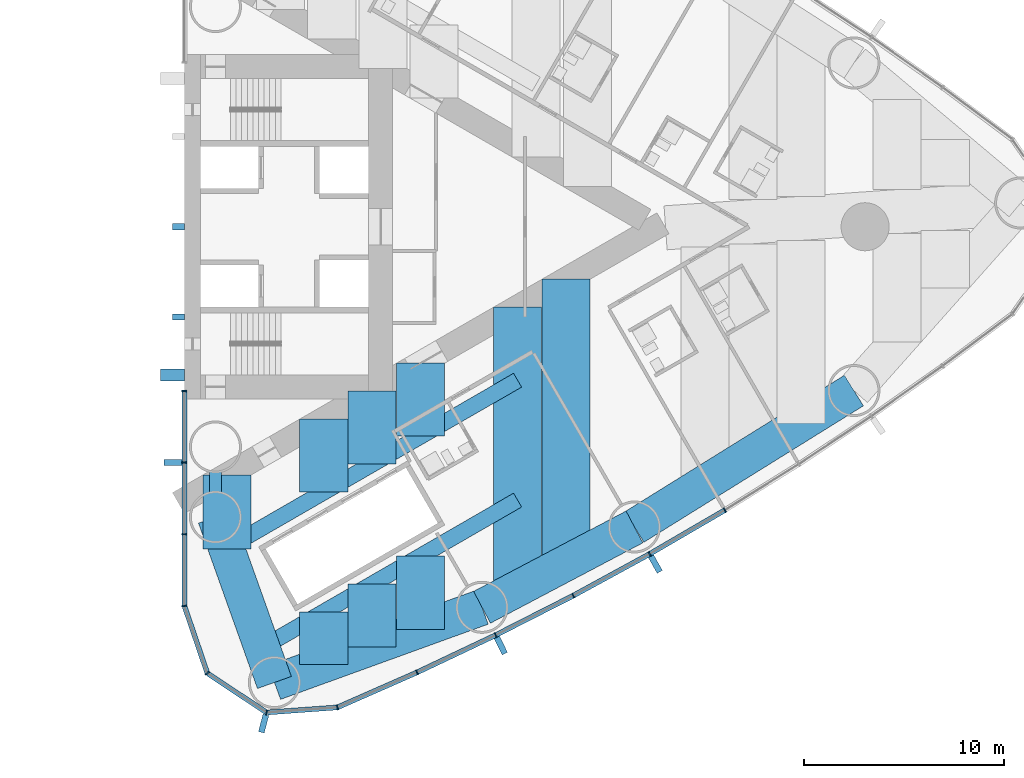
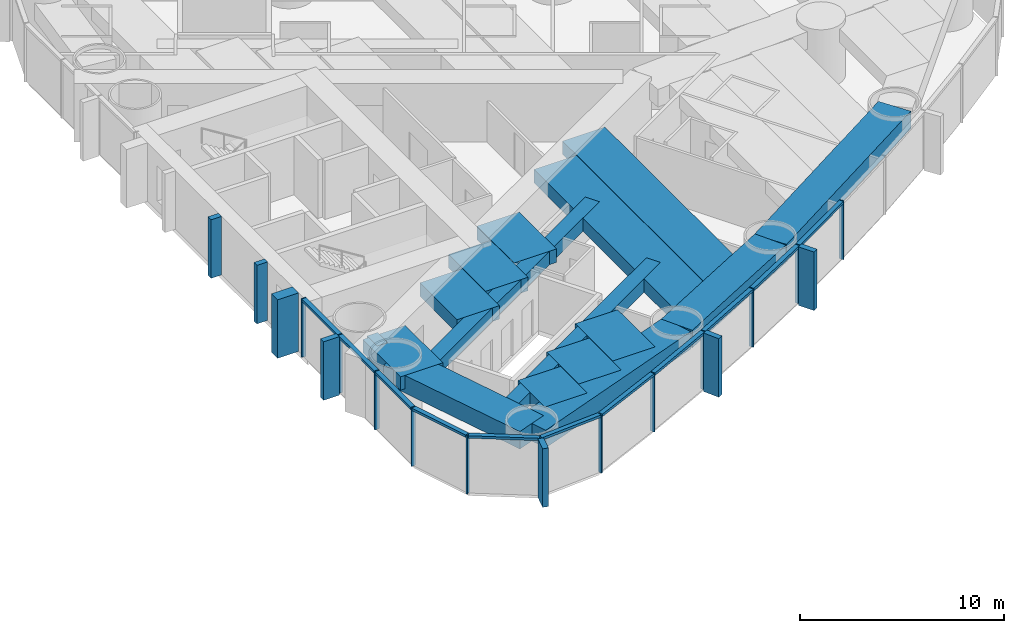
# One storey, part 6 of 18: 30 members, 16 beams, 1 element without a shape of its own.
"""IFC4 building model written with IfcOpenShell, lengths in metres."""

from ifc_helpers import new_model, si_unit, direction, frame, origin, origin_2d, place, context, subcontext, project, spatial, rectangle, hollow_rectangle, extrude, material, material_profile, profile_set, type_object, element, aggregate, save


model = new_model("IFC4")

# Units and contexts
model_context = context("Model", 3, precision=1e-05, world=origin(), true_north=direction((0.0, 1.0)))
body_context = subcontext(model_context, "Body", "Model", "MODEL_VIEW")
ifc_project = project(units=[si_unit("LENGTHUNIT", "METRE"), si_unit("AREAUNIT", "SQUARE_METRE"), si_unit("VOLUMEUNIT", "CUBIC_METRE"), si_unit("PLANEANGLEUNIT", "RADIAN"), si_unit("MASSUNIT", "GRAM", prefix="KILO")], contexts=[model_context])

# Site, building, storey
site_placement = place(None, origin())
site = spatial("IfcSite", under=ifc_project, at=site_placement, CompositionType="ELEMENT")
building_placement = place(site_placement, origin())
building = spatial("IfcBuilding", under=site, at=building_placement, Name="Lancet Gate Hotel", CompositionType="ELEMENT")
storey_placement = place(building_placement, frame((0.0, 0.0, 108.10009765625)))
storey = spatial("IfcBuildingStorey", under=building, at=storey_placement, Name="L28", CompositionType="ELEMENT", Elevation=108.10009765625)

# Curtain wall, members
ifc_material_1 = material(Name="Aluminium curtain wall", Category="aluminium")
curtain_wall_type = type_object("IfcCurtainWallType", Name="Tower unitised curtain wall", PredefinedType="USERDEFINED", material=ifc_material_1)
curtain_wall_placement = place(storey_placement, origin())
curtain_wall = element("IfcCurtainWall", 1, at=curtain_wall_placement, inside=storey, type_object=curtain_wall_type, Name="T2 L28 curtain wall 1", ObjectType="UNITISED CURTAIN WALL", PredefinedType="USERDEFINED")
ifc_material_2 = material(Name="Aluminium mullion", Category="aluminium")
ifc_material_profile_1 = material_profile(ifc_material_2, rectangle(XDim=0.06494140625, YDim=0.25, at=origin_2d()), Name="MULLION 65x250")
ifc_profile_set_1 = profile_set([ifc_material_profile_1], Name="Aluminium mullion")
member_type_1 = type_object("IfcMemberType", Name="Aluminium mullion 65x250", PredefinedType="MULLION", material=ifc_profile_set_1)
member_1_placement = place(storey_placement, frame((27.5, -8.199951171875, 0.0), z_axis=(0.0, 0.0, 1.0), x_axis=(0.0, -1.0, 0.0)))
member_1 = element("IfcMember", 2, at=member_1_placement, type_object=member_type_1, Name="T2 L28 curtain wall 1 mullion 1", PredefinedType="MULLION", context=body_context, shape_type="SweptSolid", body=[
    extrude(rectangle(XDim=0.06494140625, YDim=0.25, at=origin_2d()), origin(), (0.0, 0.0, 1.0), 3.5),
])
member_2_placement = place(storey_placement, frame((27.5, -11.781005859375, 0.0), z_axis=(0.0, 0.0, 1.0), x_axis=(0.0, -1.0, 0.0)))
member_2 = element("IfcMember", 3, at=member_2_placement, type_object=member_type_1, Name="T2 L28 curtain wall 1 mullion 2", PredefinedType="MULLION", context=body_context, shape_type="SweptSolid", body=[
    extrude(rectangle(XDim=0.06494140625, YDim=0.25, at=origin_2d()), origin(), (0.0, 0.0, 1.0), 3.5),
])
member_3_placement = place(storey_placement, frame((27.5, -15.362060546875, 0.0), z_axis=(0.0, 0.0, 1.0), x_axis=(0.0, -1.0, 0.0)))
member_3 = element("IfcMember", 4, at=member_3_placement, type_object=member_type_1, Name="T2 L28 curtain wall 1 mullion 3", PredefinedType="MULLION", context=body_context, shape_type="SweptSolid", body=[
    extrude(rectangle(XDim=0.06494140625, YDim=0.25, at=origin_2d()), origin(), (0.0, 0.0, 1.0), 3.5),
])
member_4_placement = place(storey_placement, frame((27.5, -18.94287109375, 0.0), z_axis=(0.0, 0.0, 1.0), x_axis=(0.162738742557, -0.986669195663, 0.0)))
member_4 = element("IfcMember", 5, at=member_4_placement, type_object=member_type_1, Name="T2 L28 curtain wall 1 mullion 4", PredefinedType="MULLION", context=body_context, shape_type="SweptSolid", body=[
    extrude(rectangle(XDim=0.06494140625, YDim=0.25, at=origin_2d()), origin(), (0.0, 0.0, 1.0), 3.5),
])
member_5_placement = place(storey_placement, frame((28.64453125, -22.301513671875, 0.0), z_axis=(0.0, 0.0, 1.0), x_axis=(0.610663954798, -0.79188984986, 0.0)))
member_5 = element("IfcMember", 6, at=member_5_placement, type_object=member_type_1, Name="T2 L28 curtain wall 1 mullion 5", PredefinedType="MULLION", context=body_context, shape_type="SweptSolid", body=[
    extrude(rectangle(XDim=0.06494140625, YDim=0.25, at=origin_2d()), origin(), (0.0, 0.0, 1.0), 3.5),
])
member_6_placement = place(storey_placement, frame((31.60205078125, -24.26220703125, 0.0), z_axis=(0.0, 0.0, 1.0), x_axis=(0.967157174963, -0.254179068604, 0.0)))
member_6 = element("IfcMember", 7, at=member_6_placement, type_object=member_type_1, Name="T2 L28 curtain wall 1 mullion 6", PredefinedType="MULLION", context=body_context, shape_type="SweptSolid", body=[
    extrude(rectangle(XDim=0.06494140625, YDim=0.25, at=origin_2d()), origin(), (0.0, 0.0, 1.0), 3.5),
])
member_7_placement = place(storey_placement, frame((35.141357421875, -24.009033203125, 0.0), z_axis=(0.0, 0.0, 1.0), x_axis=(0.966317378791, 0.257353304711, 0.0)))
member_7 = element("IfcMember", 8, at=member_7_placement, type_object=member_type_1, Name="T2 L28 curtain wall 1 mullion 7", PredefinedType="MULLION", context=body_context, shape_type="SweptSolid", body=[
    extrude(rectangle(XDim=0.06494140625, YDim=0.25, at=origin_2d()), origin(), (0.0, 0.0, 1.0), 3.5),
])
member_8_placement = place(storey_placement, frame((39.12109375, -22.259765625, 0.0), z_axis=(0.0, 0.0, 1.0), x_axis=(0.909672766767, 0.415325724465, 0.0)))
member_8 = element("IfcMember", 9, at=member_8_placement, type_object=member_type_1, Name="T2 L28 curtain wall 1 mullion 8", PredefinedType="MULLION", context=body_context, shape_type="SweptSolid", body=[
    extrude(rectangle(XDim=0.06494140625, YDim=0.25, at=origin_2d()), origin(), (0.0, 0.0, 1.0), 3.5),
])
member_9_placement = place(storey_placement, frame((43.0498046875, -20.398193359375, 0.0), z_axis=(0.0, 0.0, 1.0), x_axis=(0.897511886496, 0.440990264743, 0.0)))
member_9 = element("IfcMember", 10, at=member_9_placement, type_object=member_type_1, Name="T2 L28 curtain wall 1 mullion 9", PredefinedType="MULLION", context=body_context, shape_type="SweptSolid", body=[
    extrude(rectangle(XDim=0.06494140625, YDim=0.25, at=origin_2d()), origin(), (0.0, 0.0, 1.0), 3.5),
])
member_10_placement = place(storey_placement, frame((46.923828125, -18.426025390625, 0.0), z_axis=(0.0, 0.0, 1.0), x_axis=(0.884627112962, 0.466299121822, 0.0)))
member_10 = element("IfcMember", 11, at=member_10_placement, type_object=member_type_1, Name="T2 L28 curtain wall 1 mullion 10", PredefinedType="MULLION", context=body_context, shape_type="SweptSolid", body=[
    extrude(rectangle(XDim=0.06494140625, YDim=0.25, at=origin_2d()), origin(), (0.0, 0.0, 1.0), 3.5),
])
member_11_placement = place(storey_placement, frame((50.740478515625, -16.344482421875, 0.0), z_axis=(0.0, 0.0, 1.0), x_axis=(0.871028838445, 0.491231882716, 0.0)))
member_11 = element("IfcMember", 12, at=member_11_placement, type_object=member_type_1, Name="T2 L28 curtain wall 1 mullion 11", PredefinedType="MULLION", context=body_context, shape_type="SweptSolid", body=[
    extrude(rectangle(XDim=0.06494140625, YDim=0.25, at=origin_2d()), origin(), (0.0, 0.0, 1.0), 3.5),
])
member_12_placement = place(storey_placement, frame((54.496337890625, -14.1552734375, 0.0), z_axis=(0.0, 0.0, 1.0), x_axis=(0.856728030701, 0.515768437781, 0.0)))
member_12 = element("IfcMember", 13, at=member_12_placement, type_object=member_type_1, Name="T2 L28 curtain wall 1 mullion 12", PredefinedType="MULLION", context=body_context, shape_type="SweptSolid", body=[
    extrude(rectangle(XDim=0.06494140625, YDim=0.25, at=origin_2d()), origin(), (0.0, 0.0, 1.0), 3.5),
])
ifc_material_3 = material(Name="Aluminium transom", Category="aluminium")
ifc_material_profile_2 = material_profile(ifc_material_3, rectangle(XDim=0.25, YDim=0.14990234375, at=origin_2d()), Name="TRANSOM 250x150")
ifc_profile_set_2 = profile_set([ifc_material_profile_2], Name="Aluminium transom")
member_type_2 = type_object("IfcMemberType", Name="Aluminium transom 250x150", PredefinedType="USERDEFINED", material=ifc_profile_set_2)
member_13_placement = place(storey_placement, frame((27.5, -8.232421875, 3.4248046875), z_axis=(0.0, -1.0, 0.0), x_axis=(1.0, 0.0, 0.0)))
member_13 = element("IfcMember", 14, at=member_13_placement, type_object=member_type_2, Name="T2 L28 curtain wall 1 transom 1", ObjectType="TRANSOM", PredefinedType="USERDEFINED", context=body_context, shape_type="SweptSolid", body=[
    extrude(rectangle(XDim=0.25, YDim=0.14990234375, at=origin_2d()), origin(), (0.0, 0.0, 1.0), 3.51611328125),
])
member_14_placement = place(storey_placement, frame((27.5, -11.8134765625, 3.4248046875), z_axis=(0.0, -1.0, 0.0), x_axis=(1.0, 0.0, 0.0)))
member_14 = element("IfcMember", 15, at=member_14_placement, type_object=member_type_2, Name="T2 L28 curtain wall 1 transom 2", ObjectType="TRANSOM", PredefinedType="USERDEFINED", context=body_context, shape_type="SweptSolid", body=[
    extrude(rectangle(XDim=0.25, YDim=0.14990234375, at=origin_2d()), origin(), (0.0, 0.0, 1.0), 3.515869140625),
])
member_15_placement = place(storey_placement, frame((27.5, -15.39453125, 3.4248046875), z_axis=(0.0, -1.0, 0.0), x_axis=(1.0, 0.0, 0.0)))
member_15 = element("IfcMember", 16, at=member_15_placement, type_object=member_type_2, Name="T2 L28 curtain wall 1 transom 3", ObjectType="TRANSOM", PredefinedType="USERDEFINED", context=body_context, shape_type="SweptSolid", body=[
    extrude(rectangle(XDim=0.25, YDim=0.14990234375, at=origin_2d()), origin(), (0.0, 0.0, 1.0), 3.515869140625),
])
member_16_placement = place(storey_placement, frame((27.510498046875, -18.9736328125, 3.4248046875), z_axis=(0.322549769135, -0.946552505903, 0.0), x_axis=(0.946552505903, 0.322549769135, 0.0)))
member_16 = element("IfcMember", 17, at=member_16_placement, type_object=member_type_2, Name="T2 L28 curtain wall 1 transom 4", ObjectType="TRANSOM", PredefinedType="USERDEFINED", context=body_context, shape_type="SweptSolid", body=[
    extrude(rectangle(XDim=0.25, YDim=0.14990234375, at=origin_2d()), origin(), (0.0, 0.0, 1.0), 3.4833984375),
])
member_17_placement = place(storey_placement, frame((28.671630859375, -22.319580078125, 3.4248046875), z_axis=(0.833470854141, -0.552563421968, 0.0), x_axis=(0.552563421968, 0.833470854141, 0.0)))
member_17 = element("IfcMember", 18, at=member_17_placement, type_object=member_type_2, Name="T2 L28 curtain wall 1 transom 5", ObjectType="TRANSOM", PredefinedType="USERDEFINED", context=body_context, shape_type="SweptSolid", body=[
    extrude(rectangle(XDim=0.25, YDim=0.14990234375, at=origin_2d()), origin(), (0.0, 0.0, 1.0), 3.4833984375),
])
member_18_placement = place(storey_placement, frame((31.634521484375, -24.260009765625, 3.4248046875), z_axis=(0.997446232115, 0.071421383636, 0.0), x_axis=(-0.071421383636, 0.997446232115, 0.0)))
member_18 = element("IfcMember", 19, at=member_18_placement, type_object=member_type_2, Name="T2 L28 curtain wall 1 transom 6", ObjectType="TRANSOM", PredefinedType="USERDEFINED", context=body_context, shape_type="SweptSolid", body=[
    extrude(rectangle(XDim=0.25, YDim=0.14990234375, at=origin_2d()), origin(), (0.0, 0.0, 1.0), 3.483154296875),
])
member_19_placement = place(storey_placement, frame((35.171142578125, -23.995849609375, 3.4248046875), z_axis=(0.915484772266, 0.402352621155, 0.0), x_axis=(-0.402352621155, 0.915484772266, 0.0)))
member_19 = element("IfcMember", 20, at=member_19_placement, type_object=member_type_2, Name="T2 L28 curtain wall 1 transom 7", ObjectType="TRANSOM", PredefinedType="USERDEFINED", context=body_context, shape_type="SweptSolid", body=[
    extrude(rectangle(XDim=0.25, YDim=0.14990234375, at=origin_2d()), origin(), (0.0, 0.0, 1.0), 4.281982421875),
])
member_20_placement = place(storey_placement, frame((39.150634765625, -22.245849609375, 3.4248046875), z_axis=(0.903679787814, 0.428208875546, 0.0), x_axis=(-0.428208875546, 0.903679787814, 0.0)))
member_20 = element("IfcMember", 21, at=member_20_placement, type_object=member_type_2, Name="T2 L28 curtain wall 1 transom 8", ObjectType="TRANSOM", PredefinedType="USERDEFINED", context=body_context, shape_type="SweptSolid", body=[
    extrude(rectangle(XDim=0.25, YDim=0.14990234375, at=origin_2d()), origin(), (0.0, 0.0, 1.0), 4.282470703125),
])
member_21_placement = place(storey_placement, frame((43.07861328125, -20.383544921875, 3.4248046875), z_axis=(0.891165630033, 0.453678101574, 0.0), x_axis=(-0.453678101574, 0.891165630033, 0.0)))
member_21 = element("IfcMember", 22, at=member_21_placement, type_object=member_type_2, Name="T2 L28 curtain wall 1 transom 9", ObjectType="TRANSOM", PredefinedType="USERDEFINED", context=body_context, shape_type="SweptSolid", body=[
    extrude(rectangle(XDim=0.25, YDim=0.14990234375, at=origin_2d()), origin(), (0.0, 0.0, 1.0), 4.282470703125),
])
member_22_placement = place(storey_placement, frame((46.952392578125, -18.410400390625, 3.4248046875), z_axis=(0.877906466435, 0.478832158685, 0.0), x_axis=(-0.478832158685, 0.877906466435, 0.0)))
member_22 = element("IfcMember", 23, at=member_22_placement, type_object=member_type_2, Name="T2 L28 curtain wall 1 transom 10", ObjectType="TRANSOM", PredefinedType="USERDEFINED", context=body_context, shape_type="SweptSolid", body=[
    extrude(rectangle(XDim=0.25, YDim=0.14990234375, at=origin_2d()), origin(), (0.0, 0.0, 1.0), 4.282470703125),
])
member_23_placement = place(storey_placement, frame((50.7685546875, -16.327880859375, 3.4248046875), z_axis=(0.863973212152, 0.503537772847, 0.0), x_axis=(-0.503537772847, 0.863973212152, 0.0)))
member_23 = element("IfcMember", 24, at=member_23_placement, type_object=member_type_2, Name="T2 L28 curtain wall 1 transom 11", ObjectType="TRANSOM", PredefinedType="USERDEFINED", context=body_context, shape_type="SweptSolid", body=[
    extrude(rectangle(XDim=0.25, YDim=0.14990234375, at=origin_2d()), origin(), (0.0, 0.0, 1.0), 4.2822265625),
])

# Beams
ifc_material_4 = material(Name="Concrete C50/60", Category="concrete")
ifc_material_profile_3 = material_profile(ifc_material_4, rectangle(XDim=1.800048828125, YDim=1.050048828125, at=origin_2d()), Name="RC 1800x1050")
ifc_profile_set_3 = profile_set([ifc_material_profile_3], Name="Concrete C50/60")
beam_type_1 = type_object("IfcBeamType", Name="Edge beam RC 1800x1050", PredefinedType="SPANDREL", material=ifc_profile_set_3)
beam_1_placement = place(storey_placement, frame((31.99609375, -22.76318359375, 2.724853515625), z_axis=(0.940225039526, 0.340553777029, 0.0), x_axis=(-0.340553777029, 0.940225039526, 0.0)))
element("IfcBeam", 25, at=beam_1_placement, inside=storey, type_object=beam_type_1, Name="T2 edge beam EB1 L28", PredefinedType="SPANDREL", context=body_context, shape_type="SweptSolid", body=[
    extrude(rectangle(XDim=1.800048828125, YDim=1.050048828125, at=origin_2d()), origin(), (0.0, 0.0, 1.0), 11.029296875),
])
beam_2_placement = place(storey_placement, frame((42.3662109375, -19.007080078125, 2.724853515625), z_axis=(0.884632510133, 0.466288882578, 0.0), x_axis=(-0.466288882578, 0.884632510133, 0.0)))
element("IfcBeam", 26, at=beam_2_placement, inside=storey, type_object=beam_type_1, Name="T2 edge beam EB1 L28", PredefinedType="SPANDREL", context=body_context, shape_type="SweptSolid", body=[
    extrude(rectangle(XDim=1.800048828125, YDim=1.050048828125, at=origin_2d()), origin(), (0.0, 0.0, 1.0), 8.605712890625),
])
beam_3_placement = place(storey_placement, frame((49.97900390625, -14.994384765625, 2.724853515625), z_axis=(0.849312372751, 0.527890607505, 0.0), x_axis=(-0.527890607505, 0.849312372751, 0.0)))
element("IfcBeam", 27, at=beam_3_placement, inside=storey, type_object=beam_type_1, Name="T2 edge beam EB1 L28", PredefinedType="SPANDREL", context=body_context, shape_type="SweptSolid", body=[
    extrude(rectangle(XDim=1.800048828125, YDim=1.050048828125, at=origin_2d()), origin(), (0.0, 0.0, 1.0), 12.906494140625),
])
beam_4_placement = place(storey_placement, frame((31.99609375, -22.76318359375, 2.724853515625), z_axis=(-0.335821559388, 0.941925623523, 0.0), x_axis=(-0.941925623523, -0.335821559388, 0.0)))
element("IfcBeam", 28, at=beam_4_placement, inside=storey, type_object=beam_type_1, Name="T2 edge beam EB1 L28", PredefinedType="SPANDREL", context=body_context, shape_type="SweptSolid", body=[
    extrude(rectangle(XDim=1.800048828125, YDim=1.050048828125, at=origin_2d()), origin(), (0.0, 0.0, 1.0), 8.772705078125),
])

# Member
ifc_material_5 = material(Name="Concrete C60/75", Category="concrete")
ifc_material_profile_4 = material_profile(ifc_material_5, rectangle(XDim=0.60009765625, YDim=1.199951171875, at=origin_2d()), Name="FIN 600x1200")
ifc_profile_set_4 = profile_set([ifc_material_profile_4], Name="Concrete C60/75")
member_type_3 = type_object("IfcMemberType", Name="Exposed concrete buttress pilaster 600x1200", PredefinedType="USERDEFINED", material=ifc_profile_set_4)
member_24_placement = place(storey_placement, frame((26.909912109375, -7.39990234375, 0.0), z_axis=(0.0, 0.0, 1.0), x_axis=(0.0, 1.0, 0.0)))
element("IfcMember", 29, at=member_24_placement, inside=storey, type_object=member_type_3, Name="T2 buttress pilaster S L28", ObjectType="FIN", PredefinedType="USERDEFINED", context=body_context, shape_type="SweptSolid", body=[
    extrude(rectangle(XDim=0.60009765625, YDim=1.199951171875, at=origin_2d()), origin(), (0.0, 0.0, 1.0), 3.5),
])

ifc_material_6 = material(Name="Precast concrete C50/60", Category="concrete")
ifc_material_profile_5 = material_profile(ifc_material_6, rectangle(XDim=0.300048828125, YDim=0.89990234375, at=origin_2d()), Name="FIN 300x900")
ifc_profile_set_5 = profile_set([ifc_material_profile_5], Name="Precast concrete C50/60")
member_type_4 = type_object("IfcMemberType", Name="Exposed concrete fin 300x900", PredefinedType="USERDEFINED", material=ifc_profile_set_5)
member_25_placement = place(storey_placement, frame((26.925048828125, -11.781005859375, 0.0), z_axis=(0.0, 0.0, 1.0), x_axis=(0.0, -1.0, 0.0)))
member_25 = element("IfcMember", 30, at=member_25_placement, type_object=member_type_4, Name="T2 L28 curtain wall 1 fin 2", ObjectType="FIN", PredefinedType="USERDEFINED", context=body_context, shape_type="SweptSolid", body=[
    extrude(rectangle(XDim=0.300048828125, YDim=0.89990234375, at=origin_2d()), origin(), (0.0, 0.0, 1.0), 3.5),
])

member_26_placement = place(storey_placement, frame((31.455810546875, -24.818359375, 0.0), z_axis=(0.0, 0.0, 1.0), x_axis=(0.967157174963, -0.254179068604, 0.0)))
member_26 = element("IfcMember", 31, at=member_26_placement, type_object=member_type_4, Name="T2 L28 curtain wall 1 fin 6", ObjectType="FIN", PredefinedType="USERDEFINED", context=body_context, shape_type="SweptSolid", body=[
    extrude(rectangle(XDim=0.300048828125, YDim=0.89990234375, at=origin_2d()), origin(), (0.0, 0.0, 1.0), 3.5),
])

member_27_placement = place(storey_placement, frame((43.30322265625, -20.914306640625, 0.0), z_axis=(0.0, 0.0, 1.0), x_axis=(0.897511886496, 0.440990264743, 0.0)))
member_27 = element("IfcMember", 32, at=member_27_placement, type_object=member_type_4, Name="T2 L28 curtain wall 1 fin 9", ObjectType="FIN", PredefinedType="USERDEFINED", context=body_context, shape_type="SweptSolid", body=[
    extrude(rectangle(XDim=0.300048828125, YDim=0.89990234375, at=origin_2d()), origin(), (0.0, 0.0, 1.0), 3.5),
])

member_28_placement = place(storey_placement, frame((51.02294921875, -16.84521484375, 0.0), z_axis=(0.0, 0.0, 1.0), x_axis=(0.871028838445, 0.491231882716, 0.0)))
member_28 = element("IfcMember", 33, at=member_28_placement, type_object=member_type_4, Name="T2 L28 curtain wall 1 fin 11", ObjectType="FIN", PredefinedType="USERDEFINED", context=body_context, shape_type="SweptSolid", body=[
    extrude(rectangle(XDim=0.300048828125, YDim=0.89990234375, at=origin_2d()), origin(), (0.0, 0.0, 1.0), 3.5),
])

aggregate(curtain_wall, [member_1, member_2, member_25, member_3, member_4, member_5, member_6, member_26, member_7, member_8, member_9, member_27, member_10, member_11, member_28, member_12, member_13, member_14, member_15, member_16, member_17, member_18, member_19, member_20, member_21, member_22, member_23])

# Members
ifc_material_7 = material(Name="Concrete C60/75", Category="concrete")
ifc_material_profile_6 = material_profile(ifc_material_7, rectangle(XDim=0.300048828125, YDim=0.60009765625, at=origin_2d()), Name="FIN 300x600")
ifc_profile_set_6 = profile_set([ifc_material_profile_6], Name="Concrete C60/75")
member_type_5 = type_object("IfcMemberType", Name="Exposed concrete rib 300x600", PredefinedType="USERDEFINED", material=ifc_profile_set_6)
for number, where, z_axis, x_axis, name in (
    (34, (27.2099609375, -4.5, 0.0), (0.0, 0.0, 1.0), (0.0, 1.0, 0.0), "T2 core rib 1 L28"),
    (35, (27.2099609375, 0.0, 0.0), (0.0, 0.0, 1.0), (0.0, 1.0, 0.0), "T2 core rib 2 L28"),
):
    element("IfcMember", number, at=place(storey_placement, frame(where, z_axis=z_axis, x_axis=x_axis)), inside=storey, type_object=member_type_5, Name=name, ObjectType="FIN", PredefinedType="USERDEFINED", context=body_context, shape_type="SweptSolid", body=[
        extrude(rectangle(XDim=0.300048828125, YDim=0.60009765625, at=origin_2d()), origin(), (0.0, 0.0, 1.0), 3.5),
    ])

# Beams
ifc_material_8 = material(Name="Concrete C50/60", Category="concrete")
ifc_material_profile_7 = material_profile(ifc_material_8, rectangle(XDim=2.39990234375, YDim=0.800048828125, at=origin_2d()), Name="RC 2400x800")
ifc_profile_set_7 = profile_set([ifc_material_profile_7], Name="Concrete C50/60")
beam_type_2 = type_object("IfcBeamType", Name="Floor beam RC 2400x800", PredefinedType="BEAM", material=ifc_profile_set_7)
beam_5_placement = place(storey_placement, frame((29.6201171875, -16.099365234375, 2.849853515625), z_axis=(0.0, 1.0, 0.0), x_axis=(-1.0, 0.0, 0.0)))
element("IfcBeam", 36, at=beam_5_placement, inside=storey, type_object=beam_type_2, Name="T2 floor beam F01S L28", PredefinedType="BEAM", context=body_context, shape_type="SweptSolid", body=[
    extrude(rectangle(XDim=2.39990234375, YDim=0.800048828125, at=origin_2d()), origin(), (0.0, 0.0, 1.0), 3.69677734375),
])
beam_6_placement = place(storey_placement, frame((44.1416015625, -18.0712890625, 2.849853515625), z_axis=(0.0, 1.0, 0.0), x_axis=(-1.0, 0.0, 0.0)))
element("IfcBeam", 37, at=beam_6_placement, inside=storey, type_object=beam_type_2, Name="T2 floor beam F09S L28", PredefinedType="BEAM", context=body_context, shape_type="SweptSolid", body=[
    extrude(rectangle(XDim=2.39990234375, YDim=0.800048828125, at=origin_2d()), origin(), (0.0, 0.0, 1.0), 14.052490234375),
])
beam_7_placement = place(storey_placement, frame((46.561767578125, -16.795654296875, 2.849853515625), z_axis=(0.0, 1.0, 0.0), x_axis=(-1.0, 0.0, 0.0)))
element("IfcBeam", 38, at=beam_7_placement, inside=storey, type_object=beam_type_2, Name="T2 floor beam F11S L28", PredefinedType="BEAM", context=body_context, shape_type="SweptSolid", body=[
    extrude(rectangle(XDim=2.39990234375, YDim=0.800048828125, at=origin_2d()), origin(), (0.0, 0.0, 1.0), 14.17431640625),
])
beam_8_placement = place(storey_placement, frame((34.460693359375, -21.87060546875, 2.849853515625), z_axis=(0.0, 1.0, 0.0), x_axis=(-1.0, 0.0, 0.0)))
element("IfcBeam", 39, at=beam_8_placement, inside=storey, type_object=beam_type_2, Name="T2 floor beam F03SA L28", PredefinedType="BEAM", context=body_context, shape_type="SweptSolid", body=[
    extrude(rectangle(XDim=2.39990234375, YDim=0.800048828125, at=origin_2d()), origin(), (0.0, 0.0, 1.0), 2.62939453125),
])
beam_9_placement = place(storey_placement, frame((34.460693359375, -13.253662109375, 2.849853515625), z_axis=(0.0, 1.0, 0.0), x_axis=(-1.0, 0.0, 0.0)))
element("IfcBeam", 40, at=beam_9_placement, inside=storey, type_object=beam_type_2, Name="T2 floor beam F03SB L28", PredefinedType="BEAM", context=body_context, shape_type="SweptSolid", body=[
    extrude(rectangle(XDim=2.39990234375, YDim=0.800048828125, at=origin_2d()), origin(), (0.0, 0.0, 1.0), 3.645751953125),
])
beam_10_placement = place(storey_placement, frame((36.880859375, -20.993896484375, 2.849853515625), z_axis=(0.0, 1.0, 0.0), x_axis=(-1.0, 0.0, 0.0)))
element("IfcBeam", 41, at=beam_10_placement, inside=storey, type_object=beam_type_2, Name="T2 floor beam F05SA L28", PredefinedType="BEAM", context=body_context, shape_type="SweptSolid", body=[
    extrude(rectangle(XDim=2.39990234375, YDim=0.800048828125, at=origin_2d()), origin(), (0.0, 0.0, 1.0), 3.150146484375),
])
beam_11_placement = place(storey_placement, frame((36.880859375, -11.8564453125, 2.849853515625), z_axis=(0.0, 1.0, 0.0), x_axis=(-1.0, 0.0, 0.0)))
element("IfcBeam", 42, at=beam_11_placement, inside=storey, type_object=beam_type_2, Name="T2 floor beam F05SB L28", PredefinedType="BEAM", context=body_context, shape_type="SweptSolid", body=[
    extrude(rectangle(XDim=2.39990234375, YDim=0.800048828125, at=origin_2d()), origin(), (0.0, 0.0, 1.0), 3.645751953125),
])
beam_12_placement = place(storey_placement, frame((39.301025390625, -20.1171875, 2.849853515625), z_axis=(0.0, 1.0, 0.0), x_axis=(-1.0, 0.0, 0.0)))
element("IfcBeam", 43, at=beam_12_placement, inside=storey, type_object=beam_type_2, Name="T2 floor beam F07SA L28", PredefinedType="BEAM", context=body_context, shape_type="SweptSolid", body=[
    extrude(rectangle(XDim=2.39990234375, YDim=0.800048828125, at=origin_2d()), origin(), (0.0, 0.0, 1.0), 3.670654296875),
])
beam_13_placement = place(storey_placement, frame((39.301025390625, -10.458984375, 2.849853515625), z_axis=(0.0, 1.0, 0.0), x_axis=(-1.0, 0.0, 0.0)))
element("IfcBeam", 44, at=beam_13_placement, inside=storey, type_object=beam_type_2, Name="T2 floor beam F07SB L28", PredefinedType="BEAM", context=body_context, shape_type="SweptSolid", body=[
    extrude(rectangle(XDim=2.39990234375, YDim=0.800048828125, at=origin_2d()), origin(), (0.0, 0.0, 1.0), 3.6455078125),
])
ifc_material_9 = material(Name="Steel S460QL", Category="steel")
ifc_material_profile_8 = material_profile(ifc_material_9, hollow_rectangle(XDim=0.60009765625, YDim=1.5, WallThickness=0.050048828125, at=origin_2d()), Name="BOX 1500x600x50")
ifc_profile_set_8 = profile_set([ifc_material_profile_8], Name="Steel S460QL")
beam_type_3 = type_object("IfcBeamType", Name="Inner-face link beam BOX 1500x600x50", PredefinedType="BEAM", material=ifc_profile_set_8)
beam_14_placement = place(storey_placement, frame((29.050048828125, -13.25, 2.5), z_axis=(0.0, 1.0, 0.0), x_axis=(-1.0, 0.0, 0.0)))
element("IfcBeam", 45, at=beam_14_placement, inside=storey, type_object=beam_type_3, Name="T2 inner-face link beam LK1 L28", PredefinedType="BEAM", context=body_context, shape_type="SweptSolid", body=[
    extrude(hollow_rectangle(XDim=0.60009765625, YDim=1.5, WallThickness=0.050048828125, at=origin_2d()), origin(), (0.0, 0.0, 1.0), 1.0),
])
ifc_material_10 = material(Name="Steel S460QL", Category="steel")
ifc_material_profile_9 = material_profile(ifc_material_10, hollow_rectangle(XDim=0.800048828125, YDim=0.800048828125, WallThickness=0.080078125, at=origin_2d()), Name="BOX 800x800x80")
ifc_profile_set_9 = profile_set([ifc_material_profile_9], Name="Steel S460QL")
beam_type_4 = type_object("IfcBeamType", Name="Trimmer beam BOX 800x800x80", PredefinedType="BEAM", material=ifc_profile_set_9)
beam_15_placement = place(storey_placement, frame((29.6201171875, -16.048095703125, 2.849853515625), z_axis=(0.866036714307, 0.499980409089, 0.0), x_axis=(-0.499980409089, 0.866036714307, 0.0)))
element("IfcBeam", 46, at=beam_15_placement, inside=storey, type_object=beam_type_4, Name="T2 trimmer beam TR01S L28", PredefinedType="BEAM", context=body_context, shape_type="SweptSolid", body=[
    extrude(hollow_rectangle(XDim=0.800048828125, YDim=0.800048828125, WallThickness=0.080078125, at=origin_2d()), origin(), (0.0, 0.0, 1.0), 16.767822265625),
])
beam_16_placement = place(storey_placement, frame((31.375244140625, -21.0224609375, 2.849853515625), z_axis=(0.86603417384, 0.49998480951, 0.0), x_axis=(-0.49998480951, 0.86603417384, 0.0)))
element("IfcBeam", 47, at=beam_16_placement, inside=storey, type_object=beam_type_4, Name="T2 trimmer beam TR02S L28", PredefinedType="BEAM", context=body_context, shape_type="SweptSolid", body=[
    extrude(hollow_rectangle(XDim=0.800048828125, YDim=0.800048828125, WallThickness=0.080078125, at=origin_2d()), origin(), (0.0, 0.0, 1.0), 14.7412109375),
])

save(model, "model.ifc")
